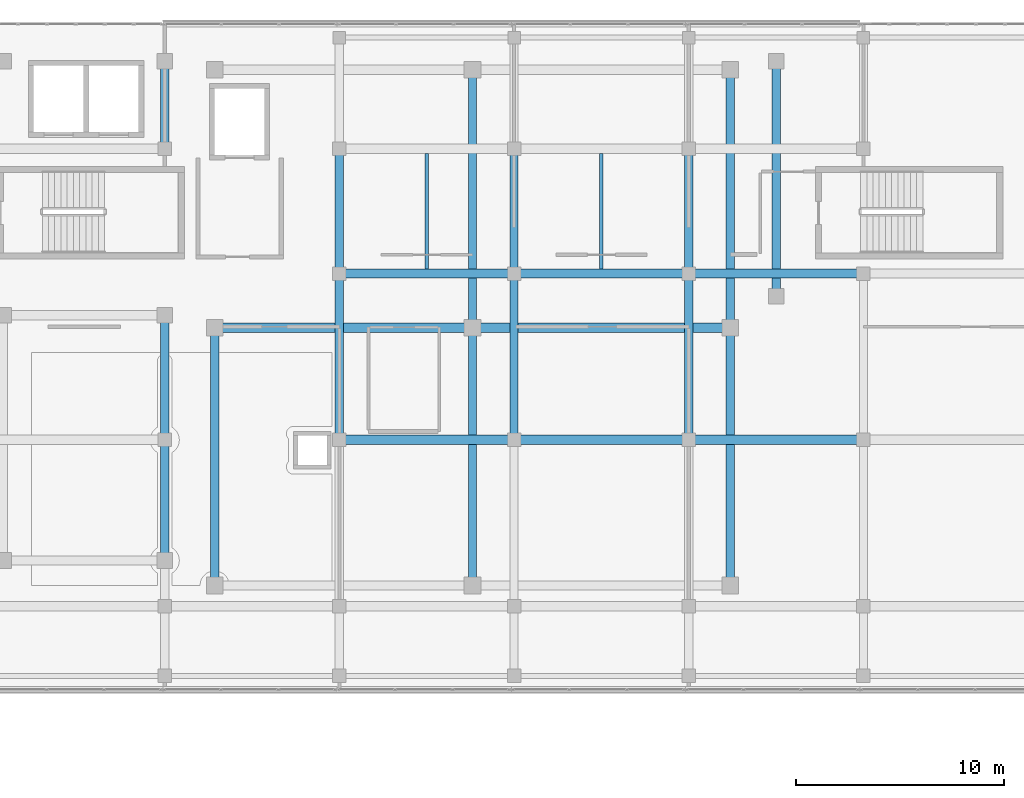
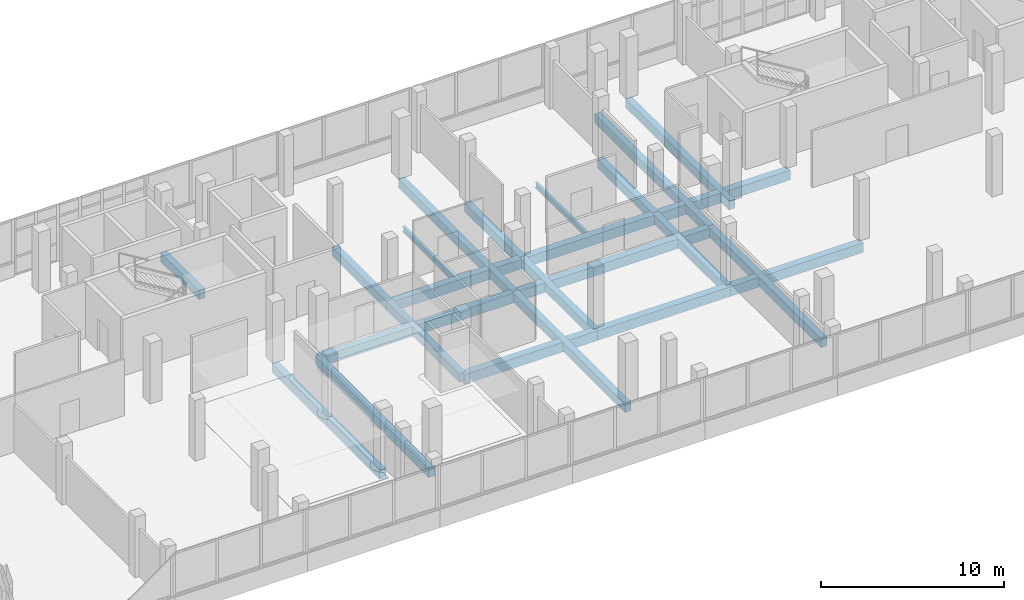
# One storey, part 22 of 76: 25 beams.
"""IFC4 building model written with IfcOpenShell, lengths in metres."""

from ifc_helpers import new_model, si_unit, direction, frame, origin, origin_2d, place, context, subcontext, project, spatial, rectangle, i_section, extrude, material, material_profile, profile_set, type_object, element, save


model = new_model("IFC4")

# Units and contexts
model_context = context("Model", 3, precision=1e-05, world=origin(), true_north=direction((0.0, 1.0)))
body_context = subcontext(model_context, "Body", "Model", "MODEL_VIEW")
ifc_project = project(units=[si_unit("LENGTHUNIT", "METRE"), si_unit("AREAUNIT", "SQUARE_METRE"), si_unit("VOLUMEUNIT", "CUBIC_METRE"), si_unit("PLANEANGLEUNIT", "RADIAN"), si_unit("MASSUNIT", "GRAM", prefix="KILO")], contexts=[model_context])

# Site, building, storey
site_placement = place(None, origin())
site = spatial("IfcSite", under=ifc_project, at=site_placement, CompositionType="ELEMENT")
building_placement = place(site_placement, origin())
building = spatial("IfcBuilding", under=site, at=building_placement, Name="Selatvlak General Hospital", CompositionType="ELEMENT")
storey_placement = place(building_placement, frame((0.0, 0.0, 27.300048828125)))
storey = spatial("IfcBuildingStorey", under=building, at=storey_placement, Name="L06", CompositionType="ELEMENT", Elevation=27.300048828125)

# Beams
ifc_material_1 = material(Name="Concrete C40/50", Category="concrete")
ifc_material_profile_1 = material_profile(ifc_material_1, rectangle(XDim=0.449951171875, YDim=0.64990234375, at=origin_2d()), Name="RC-BM 450x650")
ifc_profile_set_1 = profile_set([ifc_material_profile_1], Name="Concrete C40/50")
beam_type_1 = type_object("IfcBeamType", Name="BM-G04", PredefinedType="BEAM", material=ifc_profile_set_1)
beam_1_placement = place(storey_placement, frame((64.800048828125, 100.0, -0.60009765625), z_axis=(1.0, 0.0, 0.0), x_axis=(0.0, 1.0, 0.0)))
element("IfcBeam", 1, at=beam_1_placement, inside=storey, type_object=beam_type_1, Name="Beam BMR-L06-2188", PredefinedType="BEAM", context=body_context, shape_type="SweptSolid", body=[
    extrude(rectangle(XDim=0.449951171875, YDim=0.64990234375, at=origin_2d()), origin(), (0.0, 0.0, 1.0), 8.39990234375),
])
beam_2_placement = place(storey_placement, frame((73.199951171875, 100.0, -0.60009765625), z_axis=(1.0, 0.0, 0.0), x_axis=(0.0, 1.0, 0.0)))
element("IfcBeam", 2, at=beam_2_placement, inside=storey, type_object=beam_type_1, Name="Beam BMR-L06-2189", PredefinedType="BEAM", context=body_context, shape_type="SweptSolid", body=[
    extrude(rectangle(XDim=0.449951171875, YDim=0.64990234375, at=origin_2d()), origin(), (0.0, 0.0, 1.0), 8.400146484375),
])
beam_3_placement = place(storey_placement, frame((81.60009765625, 100.0, -0.60009765625), z_axis=(1.0, 0.0, 0.0), x_axis=(0.0, 1.0, 0.0)))
element("IfcBeam", 3, at=beam_3_placement, inside=storey, type_object=beam_type_1, Name="Beam BMR-L06-2190", PredefinedType="BEAM", context=body_context, shape_type="SweptSolid", body=[
    extrude(rectangle(XDim=0.449951171875, YDim=0.64990234375, at=origin_2d()), origin(), (0.0, 0.0, 1.0), 8.39990234375),
])
beam_4_placement = place(storey_placement, frame((58.800048828125, 105.39990234375, -0.60009765625), z_axis=(1.0, 0.0, 0.0), x_axis=(0.0, 1.0, 0.0)))
element("IfcBeam", 4, at=beam_4_placement, inside=storey, type_object=beam_type_1, Name="Beam BMR-L06-2201", PredefinedType="BEAM", context=body_context, shape_type="SweptSolid", body=[
    extrude(rectangle(XDim=0.449951171875, YDim=0.64990234375, at=origin_2d()), origin(), (0.0, 0.0, 1.0), 12.39990234375),
])
beam_5_placement = place(storey_placement, frame((71.199951171875, 105.39990234375, -0.60009765625), z_axis=(1.0, 0.0, 0.0), x_axis=(0.0, 1.0, 0.0)))
element("IfcBeam", 5, at=beam_5_placement, inside=storey, type_object=beam_type_1, Name="Beam BMR-L06-2202", PredefinedType="BEAM", context=body_context, shape_type="SweptSolid", body=[
    extrude(rectangle(XDim=0.449951171875, YDim=0.64990234375, at=origin_2d()), origin(), (0.0, 0.0, 1.0), 12.400146484375),
])
beam_6_placement = place(storey_placement, frame((64.800048828125, 108.0, -0.60009765625), z_axis=(1.0, 0.0, 0.0), x_axis=(0.0, 1.0, 0.0)))
element("IfcBeam", 6, at=beam_6_placement, inside=storey, type_object=beam_type_1, Name="Beam BMR-L06-2208", PredefinedType="BEAM", context=body_context, shape_type="SweptSolid", body=[
    extrude(rectangle(XDim=0.449951171875, YDim=0.64990234375, at=origin_2d()), origin(), (0.0, 0.0, 1.0), 8.39990234375),
])
beam_7_placement = place(storey_placement, frame((73.199951171875, 108.0, -0.60009765625), z_axis=(1.0, 0.0, 0.0), x_axis=(0.0, 1.0, 0.0)))
element("IfcBeam", 7, at=beam_7_placement, inside=storey, type_object=beam_type_1, Name="Beam BMR-L06-2209", PredefinedType="BEAM", context=body_context, shape_type="SweptSolid", body=[
    extrude(rectangle(XDim=0.449951171875, YDim=0.64990234375, at=origin_2d()), origin(), (0.0, 0.0, 1.0), 8.400146484375),
])
beam_8_placement = place(storey_placement, frame((81.60009765625, 108.0, -0.60009765625), z_axis=(1.0, 0.0, 0.0), x_axis=(0.0, 1.0, 0.0)))
element("IfcBeam", 8, at=beam_8_placement, inside=storey, type_object=beam_type_1, Name="Beam BMR-L06-2210", PredefinedType="BEAM", context=body_context, shape_type="SweptSolid", body=[
    extrude(rectangle(XDim=0.449951171875, YDim=0.64990234375, at=origin_2d()), origin(), (0.0, 0.0, 1.0), 8.39990234375),
])
ifc_material_profile_2 = material_profile(ifc_material_1, rectangle(XDim=0.39990234375, YDim=0.60009765625, at=origin_2d()), Name="RC-BM 400x600")
ifc_profile_set_2 = profile_set([ifc_material_profile_2], Name="Concrete C40/50")
beam_type_2 = type_object("IfcBeamType", Name="BM-G05", PredefinedType="BEAM", material=ifc_profile_set_2)
beam_9_placement = place(storey_placement, frame((56.39990234375, 94.199951171875, -0.574951171875), z_axis=(0.0, 1.0, 0.0), x_axis=(-1.0, 0.0, 0.0)))
element("IfcBeam", 9, at=beam_9_placement, inside=storey, type_object=beam_type_2, Name="Beam BMR-L06-2261", PredefinedType="BEAM", context=body_context, shape_type="SweptSolid", body=[
    extrude(rectangle(XDim=0.39990234375, YDim=0.60009765625, at=origin_2d()), origin(), (0.0, 0.0, 1.0), 5.800048828125),
])
beam_10_placement = place(storey_placement, frame((56.39990234375, 100.0, -0.574951171875), z_axis=(0.0, 1.0, 0.0), x_axis=(-1.0, 0.0, 0.0)))
element("IfcBeam", 10, at=beam_10_placement, inside=storey, type_object=beam_type_2, Name="Beam BMR-L06-2262", PredefinedType="BEAM", context=body_context, shape_type="SweptSolid", body=[
    extrude(rectangle(XDim=0.39990234375, YDim=0.60009765625, at=origin_2d()), origin(), (0.0, 0.0, 1.0), 6.0),
])
beam_11_placement = place(storey_placement, frame((56.39990234375, 114.0, -0.574951171875), z_axis=(0.0, 1.0, 0.0), x_axis=(-1.0, 0.0, 0.0)))
element("IfcBeam", 11, at=beam_11_placement, inside=storey, type_object=beam_type_2, Name="Beam BMR-L06-2263", PredefinedType="BEAM", context=body_context, shape_type="SweptSolid", body=[
    extrude(rectangle(XDim=0.39990234375, YDim=0.60009765625, at=origin_2d()), origin(), (0.0, 0.0, 1.0), 4.199951171875),
])
beam_12_placement = place(storey_placement, frame((58.800048828125, 93.0, -0.574951171875), z_axis=(0.0, 1.0, 0.0), x_axis=(-1.0, 0.0, 0.0)))
element("IfcBeam", 12, at=beam_12_placement, inside=storey, type_object=beam_type_2, Name="Beam BMR-L06-2264", PredefinedType="BEAM", context=body_context, shape_type="SweptSolid", body=[
    extrude(rectangle(XDim=0.39990234375, YDim=0.60009765625, at=origin_2d()), origin(), (0.0, 0.0, 1.0), 12.39990234375),
])
beam_13_placement = place(storey_placement, frame((64.800048828125, 100.0, -0.574951171875), z_axis=(0.0, 1.0, 0.0), x_axis=(-1.0, 0.0, 0.0)))
element("IfcBeam", 13, at=beam_13_placement, inside=storey, type_object=beam_type_2, Name="Beam BMR-L06-2267", PredefinedType="BEAM", context=body_context, shape_type="SweptSolid", body=[
    extrude(rectangle(XDim=0.39990234375, YDim=0.60009765625, at=origin_2d()), origin(), (0.0, 0.0, 1.0), 8.0),
])
beam_14_placement = place(storey_placement, frame((64.800048828125, 108.0, -0.574951171875), z_axis=(0.0, 1.0, 0.0), x_axis=(-1.0, 0.0, 0.0)))
element("IfcBeam", 14, at=beam_14_placement, inside=storey, type_object=beam_type_2, Name="Beam BMR-L06-2268", PredefinedType="BEAM", context=body_context, shape_type="SweptSolid", body=[
    extrude(rectangle(XDim=0.39990234375, YDim=0.60009765625, at=origin_2d()), origin(), (0.0, 0.0, 1.0), 6.0),
])
beam_15_placement = place(storey_placement, frame((71.199951171875, 93.0, -0.574951171875), z_axis=(0.0, 1.0, 0.0), x_axis=(-1.0, 0.0, 0.0)))
element("IfcBeam", 15, at=beam_15_placement, inside=storey, type_object=beam_type_2, Name="Beam BMR-L06-2270", PredefinedType="BEAM", context=body_context, shape_type="SweptSolid", body=[
    extrude(rectangle(XDim=0.39990234375, YDim=0.60009765625, at=origin_2d()), origin(), (0.0, 0.0, 1.0), 12.39990234375),
])
beam_16_placement = place(storey_placement, frame((71.199951171875, 105.39990234375, -0.574951171875), z_axis=(0.0, 1.0, 0.0), x_axis=(-1.0, 0.0, 0.0)))
element("IfcBeam", 16, at=beam_16_placement, inside=storey, type_object=beam_type_2, Name="Beam BMR-L06-2271", PredefinedType="BEAM", context=body_context, shape_type="SweptSolid", body=[
    extrude(rectangle(XDim=0.39990234375, YDim=0.60009765625, at=origin_2d()), origin(), (0.0, 0.0, 1.0), 12.400146484375),
])
beam_17_placement = place(storey_placement, frame((73.199951171875, 100.0, -0.574951171875), z_axis=(0.0, 1.0, 0.0), x_axis=(-1.0, 0.0, 0.0)))
element("IfcBeam", 17, at=beam_17_placement, inside=storey, type_object=beam_type_2, Name="Beam BMR-L06-2274", PredefinedType="BEAM", context=body_context, shape_type="SweptSolid", body=[
    extrude(rectangle(XDim=0.39990234375, YDim=0.60009765625, at=origin_2d()), origin(), (0.0, 0.0, 1.0), 8.0),
])
beam_18_placement = place(storey_placement, frame((73.199951171875, 108.0, -0.574951171875), z_axis=(0.0, 1.0, 0.0), x_axis=(-1.0, 0.0, 0.0)))
element("IfcBeam", 18, at=beam_18_placement, inside=storey, type_object=beam_type_2, Name="Beam BMR-L06-2275", PredefinedType="BEAM", context=body_context, shape_type="SweptSolid", body=[
    extrude(rectangle(XDim=0.39990234375, YDim=0.60009765625, at=origin_2d()), origin(), (0.0, 0.0, 1.0), 6.0),
])
beam_19_placement = place(storey_placement, frame((81.60009765625, 100.0, -0.574951171875), z_axis=(0.0, 1.0, 0.0), x_axis=(-1.0, 0.0, 0.0)))
element("IfcBeam", 19, at=beam_19_placement, inside=storey, type_object=beam_type_2, Name="Beam BMR-L06-2279", PredefinedType="BEAM", context=body_context, shape_type="SweptSolid", body=[
    extrude(rectangle(XDim=0.39990234375, YDim=0.60009765625, at=origin_2d()), origin(), (0.0, 0.0, 1.0), 8.0),
])
beam_20_placement = place(storey_placement, frame((81.60009765625, 108.0, -0.574951171875), z_axis=(0.0, 1.0, 0.0), x_axis=(-1.0, 0.0, 0.0)))
element("IfcBeam", 20, at=beam_20_placement, inside=storey, type_object=beam_type_2, Name="Beam BMR-L06-2280", PredefinedType="BEAM", context=body_context, shape_type="SweptSolid", body=[
    extrude(rectangle(XDim=0.39990234375, YDim=0.60009765625, at=origin_2d()), origin(), (0.0, 0.0, 1.0), 6.0),
])
beam_21_placement = place(storey_placement, frame((83.60009765625, 93.0, -0.574951171875), z_axis=(0.0, 1.0, 0.0), x_axis=(-1.0, 0.0, 0.0)))
element("IfcBeam", 21, at=beam_21_placement, inside=storey, type_object=beam_type_2, Name="Beam BMR-L06-2282", PredefinedType="BEAM", context=body_context, shape_type="SweptSolid", body=[
    extrude(rectangle(XDim=0.39990234375, YDim=0.60009765625, at=origin_2d()), origin(), (0.0, 0.0, 1.0), 12.39990234375),
])
beam_22_placement = place(storey_placement, frame((83.60009765625, 105.39990234375, -0.574951171875), z_axis=(0.0, 1.0, 0.0), x_axis=(-1.0, 0.0, 0.0)))
element("IfcBeam", 22, at=beam_22_placement, inside=storey, type_object=beam_type_2, Name="Beam BMR-L06-2283", PredefinedType="BEAM", context=body_context, shape_type="SweptSolid", body=[
    extrude(rectangle(XDim=0.39990234375, YDim=0.60009765625, at=origin_2d()), origin(), (0.0, 0.0, 1.0), 12.400146484375),
])
beam_23_placement = place(storey_placement, frame((85.800048828125, 106.89990234375, -0.574951171875), z_axis=(0.0, 1.0, 0.0), x_axis=(-1.0, 0.0, 0.0)))
element("IfcBeam", 23, at=beam_23_placement, inside=storey, type_object=beam_type_2, Name="Beam BMR-L06-2284", PredefinedType="BEAM", context=body_context, shape_type="SweptSolid", body=[
    extrude(rectangle(XDim=0.39990234375, YDim=0.60009765625, at=origin_2d()), origin(), (0.0, 0.0, 1.0), 11.300048828125),
])
ifc_material_2 = material(Name="Steel S355", Category="steel")
ifc_material_profile_3 = material_profile(ifc_material_2, i_section(OverallWidth=0.17138671875, OverallDepth=0.35498046875, WebThickness=0.00732421875, FlangeThickness=0.011474609375, at=origin_2d()), Name="UB 356x171x51")
ifc_profile_set_3 = profile_set([ifc_material_profile_3], Name="Steel S355")
beam_type_3 = type_object("IfcBeamType", Name="BM-J05", PredefinedType="JOIST", material=ifc_profile_set_3)
for number, where, z_axis, x_axis, name in (
    (24, (69.0, 108.22509765625, -0.4521484375), (0.0, 1.0, 0.0), (-1.0, 0.0, 0.0), "Beam BMR-L06-2360"),
    (25, (77.39990234375, 108.22509765625, -0.4521484375), (0.0, 1.0, 0.0), (-1.0, 0.0, 0.0), "Beam BMR-L06-2361"),
):
    element("IfcBeam", number, at=place(storey_placement, frame(where, z_axis=z_axis, x_axis=x_axis)), inside=storey, type_object=beam_type_3, Name=name, PredefinedType="JOIST", context=body_context, shape_type="SweptSolid", body=[
        extrude(i_section(OverallWidth=0.17138671875, OverallDepth=0.35498046875, WebThickness=0.00732421875, FlangeThickness=0.011474609375, at=origin_2d()), origin(), (0.0, 0.0, 1.0), 5.5498046875),
    ])

save(model, "model.ifc")
